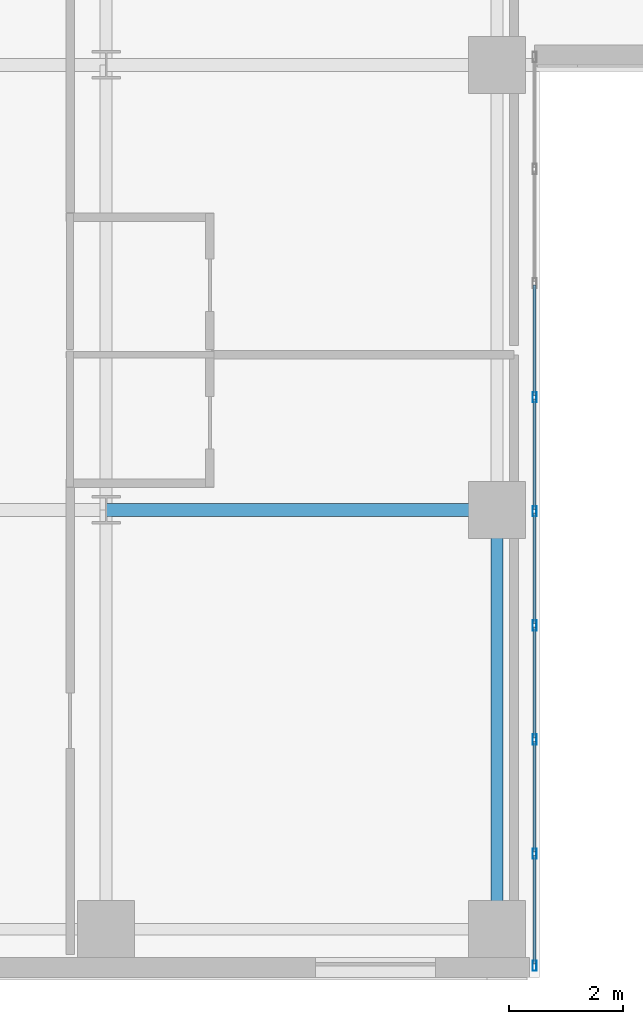
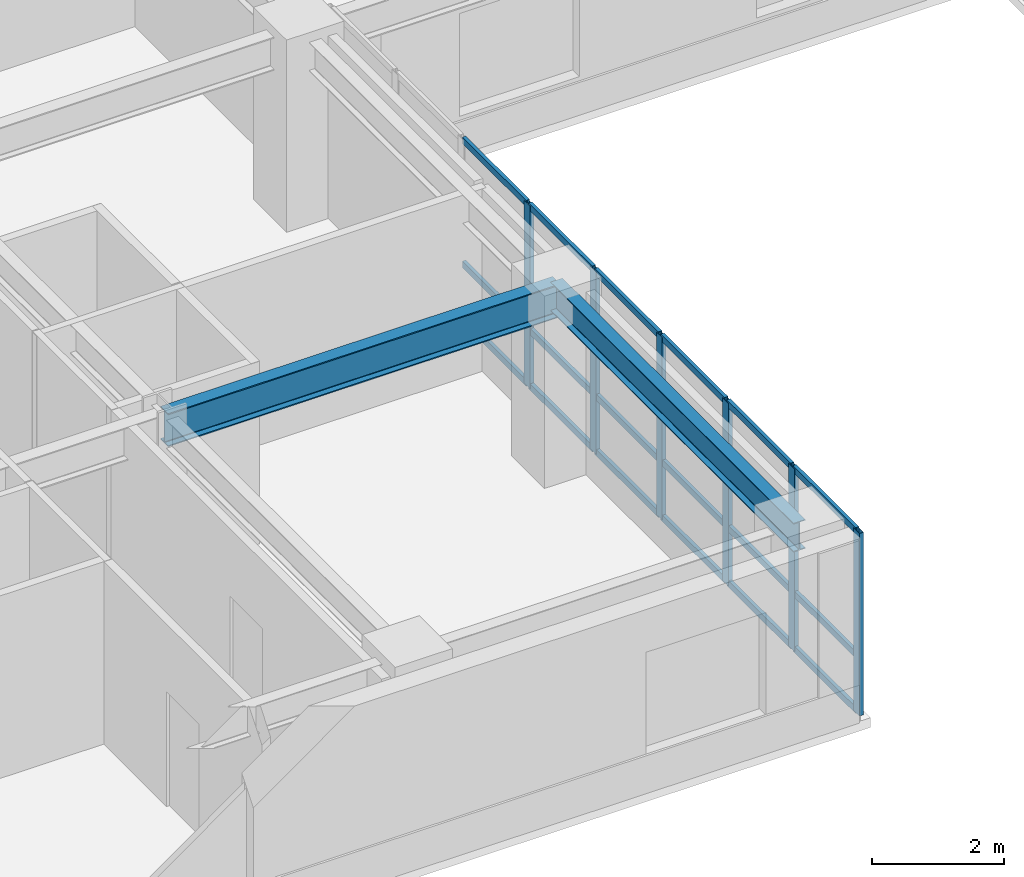
# One storey, part 6 of 37: 24 members, 2 beams, 1 element without a shape of its own.
"""IFC4 building model written with IfcOpenShell, lengths in metres."""

from ifc_helpers import new_model, si_unit, direction, frame, origin, origin_2d, place, context, subcontext, project, spatial, hollow_rectangle, i_section, extrude, source, transform, mapped, material, layer, layer_set, material_profile, profile_set, type_object, type_shapes, element, aggregate, save


model = new_model("IFC4")

# Units and contexts
model_context = context("Model", 3, precision=1e-05, world=origin(), true_north=direction((0.0, 1.0)))
body_context = subcontext(model_context, "Body", "Model", "MODEL_VIEW")
ifc_project = project(units=[si_unit("LENGTHUNIT", "METRE"), si_unit("AREAUNIT", "SQUARE_METRE"), si_unit("VOLUMEUNIT", "CUBIC_METRE"), si_unit("PLANEANGLEUNIT", "RADIAN"), si_unit("MASSUNIT", "GRAM", prefix="KILO")], contexts=[model_context])

# Site, building, storey
site_placement = place(None, origin())
site = spatial("IfcSite", under=ifc_project, at=site_placement, CompositionType="ELEMENT")
building_placement = place(site_placement, origin())
building = spatial("IfcBuilding", under=site, at=building_placement, Name="Tolvann Quenvar Hotel", CompositionType="ELEMENT")
storey_placement = place(building_placement, frame((0.0, 0.0, 53.300048828125)))
storey = spatial("IfcBuildingStorey", under=building, at=storey_placement, Name="L12", CompositionType="ELEMENT", Elevation=53.300048828125)

# Beams
ifc_material_1 = material(Name="Steel Grade 350", Category="steel")
ifc_material_profile_1 = material_profile(ifc_material_1, i_section(OverallWidth=0.22900390625, OverallDepth=0.612060546875, WebThickness=0.011962890625, FlangeThickness=0.01953125, FilletRadius=0.013916015625, at=origin_2d()), Name="610UB125")
ifc_profile_set_1 = profile_set([ifc_material_profile_1], Name="Steel Grade 350")
beam_type_1 = type_object("IfcBeamType", Name="BM_GIRD_610UB125", PredefinedType="BEAM", material=ifc_profile_set_1)
shared_shape_1 = source(origin(), body_context, "Body", "SweptSolid", [
    extrude(i_section(OverallWidth=0.22900390625, OverallDepth=0.612060546875, WebThickness=0.011962890625, FlangeThickness=0.01953125, FilletRadius=0.013916015625, at=origin_2d()), origin(), (0.0, 0.0, 1.0), 6.85009765625),
])
type_shapes(beam_type_1, [shared_shape_1])
beam_1_placement = place(storey_placement, frame((15.199951171875, 8.199951171875, 3.06396484375), z_axis=(1.0, 0.0, 0.0), x_axis=(0.0, 1.0, 0.0)))
element("IfcBeam", 1, at=beam_1_placement, inside=storey, type_object=beam_type_1, Name="BM-L12-EW-3-D3-E3", PredefinedType="BEAM", context=body_context, shape_type="MappedRepresentation", body=[
    mapped(shared_shape_1, transform((0.0, 0.0, 0.0), x_axis=(1.0, 0.0, 0.0), y_axis=(0.0, 1.0, 0.0), z_axis=(0.0, 0.0, 1.0), scale=1.0)),
])
ifc_material_profile_2 = material_profile(ifc_material_1, i_section(OverallWidth=0.208984375, OverallDepth=0.532958984375, WebThickness=0.01025390625, FlangeThickness=0.015625, FilletRadius=0.013916015625, at=origin_2d()), Name="530UB92")
ifc_profile_set_2 = profile_set([ifc_material_profile_2], Name="Steel Grade 350")
beam_type_2 = type_object("IfcBeamType", Name="BM_GIRD_530UB92", PredefinedType="BEAM", material=ifc_profile_set_2)
shared_shape_2 = source(origin(), body_context, "Body", "SweptSolid", [
    extrude(i_section(OverallWidth=0.208984375, OverallDepth=0.532958984375, WebThickness=0.01025390625, FlangeThickness=0.015625, FilletRadius=0.013916015625, at=origin_2d()), origin(), (0.0, 0.0, 1.0), 7.349853515625),
])
type_shapes(beam_type_2, [shared_shape_2])
beam_2_placement = place(storey_placement, frame((22.050048828125, 0.85009765625, 3.103515625), z_axis=(0.0, 1.0, 0.0), x_axis=(-1.0, 0.0, 0.0)))
element("IfcBeam", 2, at=beam_2_placement, inside=storey, type_object=beam_type_2, Name="BM-L12-NS-E2-E3", PredefinedType="BEAM", context=body_context, shape_type="MappedRepresentation", body=[
    mapped(shared_shape_2, transform((0.0, 0.0, 0.0), x_axis=(1.0, 0.0, 0.0), y_axis=(0.0, 1.0, 0.0), z_axis=(0.0, 0.0, 1.0), scale=1.0)),
])

# Curtain wall, members
ifc_material_2 = material(Name="Thermally broken anodised architectural aluminium 6063-T6 and laminated low-E glass", Category="aluminium")
ifc_layer = layer(ifc_material_2, 0.179931640625)
ifc_layer_set = layer_set([ifc_layer], Name="Thermally broken anodised architectural aluminium 6063-T6 and laminated low-E glass")
curtain_wall_type = type_object("IfcCurtainWallType", Name="CW_SYS_SLOT_03", PredefinedType="USERDEFINED", material=ifc_layer_set)
curtain_wall_placement = place(storey_placement, origin())
curtain_wall = element("IfcCurtainWall", 3, at=curtain_wall_placement, inside=storey, type_object=curtain_wall_type, Name="Curtain Wall CW-SLOT-03 (CWR-L12-E05)", ObjectType="UNITISED CURTAIN WALL", PredefinedType="USERDEFINED")
ifc_material_3 = material(Name="Anodised architectural aluminium 6063-T6 framing", Category="aluminium")
ifc_material_profile_3 = material_profile(ifc_material_3, hollow_rectangle(XDim=0.06005859375, YDim=0.1201171875, WallThickness=0.00341796875, at=origin_2d()), Name="120x60x3.5RHS")
ifc_profile_set_3 = profile_set([ifc_material_profile_3], Name="Anodised architectural aluminium 6063-T6 framing")
member_type_1 = type_object("IfcMemberType", Name="CW_TRAN_120x60", PredefinedType="USERDEFINED", material=ifc_profile_set_3)
shared_shape_3 = source(origin(), body_context, "Body", "SweptSolid", [
    extrude(hollow_rectangle(XDim=0.06005859375, YDim=0.1201171875, WallThickness=0.00341796875, at=origin_2d()), origin(), (0.0, 0.0, 1.0), 1.894775390625),
])
member_1_placement = place(storey_placement, frame((22.7099609375, 0.2451171875, 0.030029296875), z_axis=(0.0, 1.0, 0.0), x_axis=(-1.0, 0.0, 0.0)))
member_1 = element("IfcMember", 4, at=member_1_placement, type_object=member_type_1, Name="CW-SLOT-03 transom 1.1", ObjectType="TRANSOM", PredefinedType="USERDEFINED", context=body_context, shape_type="MappedRepresentation", body=[
    mapped(shared_shape_3, transform((0.0, 0.0, 0.0), x_axis=(1.0, 0.0, 0.0), y_axis=(0.0, 1.0, 0.0), z_axis=(0.0, 0.0, 1.0), scale=1.0)),
])
member_2_placement = place(storey_placement, frame((22.7099609375, 0.2451171875, 1.050048828125), z_axis=(0.0, 1.0, 0.0), x_axis=(-1.0, 0.0, 0.0)))
member_2 = element("IfcMember", 5, at=member_2_placement, type_object=member_type_1, Name="CW-SLOT-03 transom 1.2", ObjectType="TRANSOM", PredefinedType="USERDEFINED", context=body_context, shape_type="MappedRepresentation", body=[
    mapped(shared_shape_3, transform((0.0, 0.0, 0.0), x_axis=(1.0, 0.0, 0.0), y_axis=(0.0, 1.0, 0.0), z_axis=(0.0, 0.0, 1.0), scale=1.0)),
])
member_3_placement = place(storey_placement, frame((22.7099609375, 0.2451171875, 3.33984375), z_axis=(0.0, 1.0, 0.0), x_axis=(-1.0, 0.0, 0.0)))
member_3 = element("IfcMember", 6, at=member_3_placement, type_object=member_type_1, Name="CW-SLOT-03 transom 1.3", ObjectType="TRANSOM", PredefinedType="USERDEFINED", context=body_context, shape_type="MappedRepresentation", body=[
    mapped(shared_shape_3, transform((0.0, 0.0, 0.0), x_axis=(1.0, 0.0, 0.0), y_axis=(0.0, 1.0, 0.0), z_axis=(0.0, 0.0, 1.0), scale=1.0)),
])
shared_shape_4 = source(origin(), body_context, "Body", "SweptSolid", [
    extrude(hollow_rectangle(XDim=0.06005859375, YDim=0.1201171875, WallThickness=0.00341796875, at=origin_2d()), origin(), (0.0, 0.0, 1.0), 1.929931640625),
])
type_shapes(member_type_1, [shared_shape_3, shared_shape_4])
member_4_placement = place(storey_placement, frame((22.7099609375, 2.2099609375, 0.030029296875), z_axis=(0.0, 1.0, 0.0), x_axis=(-1.0, 0.0, 0.0)))
member_4 = element("IfcMember", 7, at=member_4_placement, type_object=member_type_1, Name="CW-SLOT-03 transom 2.1", ObjectType="TRANSOM", PredefinedType="USERDEFINED", context=body_context, shape_type="MappedRepresentation", body=[
    mapped(shared_shape_4, transform((0.0, 0.0, 0.0), x_axis=(1.0, 0.0, 0.0), y_axis=(0.0, 1.0, 0.0), z_axis=(0.0, 0.0, 1.0), scale=1.0)),
])
member_5_placement = place(storey_placement, frame((22.7099609375, 2.2099609375, 1.050048828125), z_axis=(0.0, 1.0, 0.0), x_axis=(-1.0, 0.0, 0.0)))
member_5 = element("IfcMember", 8, at=member_5_placement, type_object=member_type_1, Name="CW-SLOT-03 transom 2.2", ObjectType="TRANSOM", PredefinedType="USERDEFINED", context=body_context, shape_type="MappedRepresentation", body=[
    mapped(shared_shape_4, transform((0.0, 0.0, 0.0), x_axis=(1.0, 0.0, 0.0), y_axis=(0.0, 1.0, 0.0), z_axis=(0.0, 0.0, 1.0), scale=1.0)),
])
member_6_placement = place(storey_placement, frame((22.7099609375, 2.2099609375, 3.33984375), z_axis=(0.0, 1.0, 0.0), x_axis=(-1.0, 0.0, 0.0)))
member_6 = element("IfcMember", 9, at=member_6_placement, type_object=member_type_1, Name="CW-SLOT-03 transom 2.3", ObjectType="TRANSOM", PredefinedType="USERDEFINED", context=body_context, shape_type="MappedRepresentation", body=[
    mapped(shared_shape_4, transform((0.0, 0.0, 0.0), x_axis=(1.0, 0.0, 0.0), y_axis=(0.0, 1.0, 0.0), z_axis=(0.0, 0.0, 1.0), scale=1.0)),
])
member_7_placement = place(storey_placement, frame((22.7099609375, 4.2099609375, 0.030029296875), z_axis=(0.0, 1.0, 0.0), x_axis=(-1.0, 0.0, 0.0)))
member_7 = element("IfcMember", 10, at=member_7_placement, type_object=member_type_1, Name="CW-SLOT-03 transom 3.1", ObjectType="TRANSOM", PredefinedType="USERDEFINED", context=body_context, shape_type="MappedRepresentation", body=[
    mapped(shared_shape_4, transform((0.0, 0.0, 0.0), x_axis=(1.0, 0.0, 0.0), y_axis=(0.0, 1.0, 0.0), z_axis=(0.0, 0.0, 1.0), scale=1.0)),
])
member_8_placement = place(storey_placement, frame((22.7099609375, 4.2099609375, 1.050048828125), z_axis=(0.0, 1.0, 0.0), x_axis=(-1.0, 0.0, 0.0)))
member_8 = element("IfcMember", 11, at=member_8_placement, type_object=member_type_1, Name="CW-SLOT-03 transom 3.2", ObjectType="TRANSOM", PredefinedType="USERDEFINED", context=body_context, shape_type="MappedRepresentation", body=[
    mapped(shared_shape_4, transform((0.0, 0.0, 0.0), x_axis=(1.0, 0.0, 0.0), y_axis=(0.0, 1.0, 0.0), z_axis=(0.0, 0.0, 1.0), scale=1.0)),
])
member_9_placement = place(storey_placement, frame((22.7099609375, 4.2099609375, 3.33984375), z_axis=(0.0, 1.0, 0.0), x_axis=(-1.0, 0.0, 0.0)))
member_9 = element("IfcMember", 12, at=member_9_placement, type_object=member_type_1, Name="CW-SLOT-03 transom 3.3", ObjectType="TRANSOM", PredefinedType="USERDEFINED", context=body_context, shape_type="MappedRepresentation", body=[
    mapped(shared_shape_4, transform((0.0, 0.0, 0.0), x_axis=(1.0, 0.0, 0.0), y_axis=(0.0, 1.0, 0.0), z_axis=(0.0, 0.0, 1.0), scale=1.0)),
])
member_10_placement = place(storey_placement, frame((22.7099609375, 6.2099609375, 0.030029296875), z_axis=(0.0, 1.0, 0.0), x_axis=(-1.0, 0.0, 0.0)))
member_10 = element("IfcMember", 13, at=member_10_placement, type_object=member_type_1, Name="CW-SLOT-03 transom 4.1", ObjectType="TRANSOM", PredefinedType="USERDEFINED", context=body_context, shape_type="MappedRepresentation", body=[
    mapped(shared_shape_4, transform((0.0, 0.0, 0.0), x_axis=(1.0, 0.0, 0.0), y_axis=(0.0, 1.0, 0.0), z_axis=(0.0, 0.0, 1.0), scale=1.0)),
])
member_11_placement = place(storey_placement, frame((22.7099609375, 6.2099609375, 1.050048828125), z_axis=(0.0, 1.0, 0.0), x_axis=(-1.0, 0.0, 0.0)))
member_11 = element("IfcMember", 14, at=member_11_placement, type_object=member_type_1, Name="CW-SLOT-03 transom 4.2", ObjectType="TRANSOM", PredefinedType="USERDEFINED", context=body_context, shape_type="MappedRepresentation", body=[
    mapped(shared_shape_4, transform((0.0, 0.0, 0.0), x_axis=(1.0, 0.0, 0.0), y_axis=(0.0, 1.0, 0.0), z_axis=(0.0, 0.0, 1.0), scale=1.0)),
])
member_12_placement = place(storey_placement, frame((22.7099609375, 6.2099609375, 3.33984375), z_axis=(0.0, 1.0, 0.0), x_axis=(-1.0, 0.0, 0.0)))
member_12 = element("IfcMember", 15, at=member_12_placement, type_object=member_type_1, Name="CW-SLOT-03 transom 4.3", ObjectType="TRANSOM", PredefinedType="USERDEFINED", context=body_context, shape_type="MappedRepresentation", body=[
    mapped(shared_shape_4, transform((0.0, 0.0, 0.0), x_axis=(1.0, 0.0, 0.0), y_axis=(0.0, 1.0, 0.0), z_axis=(0.0, 0.0, 1.0), scale=1.0)),
])
member_13_placement = place(storey_placement, frame((22.7099609375, 8.2099609375, 0.030029296875), z_axis=(0.0, 1.0, 0.0), x_axis=(-1.0, 0.0, 0.0)))
member_13 = element("IfcMember", 16, at=member_13_placement, type_object=member_type_1, Name="CW-SLOT-03 transom 5.1", ObjectType="TRANSOM", PredefinedType="USERDEFINED", context=body_context, shape_type="MappedRepresentation", body=[
    mapped(shared_shape_4, transform((0.0, 0.0, 0.0), x_axis=(1.0, 0.0, 0.0), y_axis=(0.0, 1.0, 0.0), z_axis=(0.0, 0.0, 1.0), scale=1.0)),
])
member_14_placement = place(storey_placement, frame((22.7099609375, 8.2099609375, 1.050048828125), z_axis=(0.0, 1.0, 0.0), x_axis=(-1.0, 0.0, 0.0)))
member_14 = element("IfcMember", 17, at=member_14_placement, type_object=member_type_1, Name="CW-SLOT-03 transom 5.2", ObjectType="TRANSOM", PredefinedType="USERDEFINED", context=body_context, shape_type="MappedRepresentation", body=[
    mapped(shared_shape_4, transform((0.0, 0.0, 0.0), x_axis=(1.0, 0.0, 0.0), y_axis=(0.0, 1.0, 0.0), z_axis=(0.0, 0.0, 1.0), scale=1.0)),
])
member_15_placement = place(storey_placement, frame((22.7099609375, 8.2099609375, 3.33984375), z_axis=(0.0, 1.0, 0.0), x_axis=(-1.0, 0.0, 0.0)))
member_15 = element("IfcMember", 18, at=member_15_placement, type_object=member_type_1, Name="CW-SLOT-03 transom 5.3", ObjectType="TRANSOM", PredefinedType="USERDEFINED", context=body_context, shape_type="MappedRepresentation", body=[
    mapped(shared_shape_4, transform((0.0, 0.0, 0.0), x_axis=(1.0, 0.0, 0.0), y_axis=(0.0, 1.0, 0.0), z_axis=(0.0, 0.0, 1.0), scale=1.0)),
])
member_16_placement = place(storey_placement, frame((22.7099609375, 10.2099609375, 0.030029296875), z_axis=(0.0, 1.0, 0.0), x_axis=(-1.0, 0.0, 0.0)))
member_16 = element("IfcMember", 19, at=member_16_placement, type_object=member_type_1, Name="CW-SLOT-03 transom 6.1", ObjectType="TRANSOM", PredefinedType="USERDEFINED", context=body_context, shape_type="MappedRepresentation", body=[
    mapped(shared_shape_4, transform((0.0, 0.0, 0.0), x_axis=(1.0, 0.0, 0.0), y_axis=(0.0, 1.0, 0.0), z_axis=(0.0, 0.0, 1.0), scale=1.0)),
])
member_17_placement = place(storey_placement, frame((22.7099609375, 10.2099609375, 1.050048828125), z_axis=(0.0, 1.0, 0.0), x_axis=(-1.0, 0.0, 0.0)))
member_17 = element("IfcMember", 20, at=member_17_placement, type_object=member_type_1, Name="CW-SLOT-03 transom 6.2", ObjectType="TRANSOM", PredefinedType="USERDEFINED", context=body_context, shape_type="MappedRepresentation", body=[
    mapped(shared_shape_4, transform((0.0, 0.0, 0.0), x_axis=(1.0, 0.0, 0.0), y_axis=(0.0, 1.0, 0.0), z_axis=(0.0, 0.0, 1.0), scale=1.0)),
])
member_18_placement = place(storey_placement, frame((22.7099609375, 10.2099609375, 3.33984375), z_axis=(0.0, 1.0, 0.0), x_axis=(-1.0, 0.0, 0.0)))
member_18 = element("IfcMember", 21, at=member_18_placement, type_object=member_type_1, Name="CW-SLOT-03 transom 6.3", ObjectType="TRANSOM", PredefinedType="USERDEFINED", context=body_context, shape_type="MappedRepresentation", body=[
    mapped(shared_shape_4, transform((0.0, 0.0, 0.0), x_axis=(1.0, 0.0, 0.0), y_axis=(0.0, 1.0, 0.0), z_axis=(0.0, 0.0, 1.0), scale=1.0)),
])
ifc_material_profile_4 = material_profile(ifc_material_3, hollow_rectangle(XDim=0.070068359375, YDim=0.179931640625, WallThickness=0.00390625, at=origin_2d()), Name="180x70x4RHS")
ifc_profile_set_4 = profile_set([ifc_material_profile_4], Name="Anodised architectural aluminium 6063-T6 framing")
member_type_2 = type_object("IfcMemberType", Name="CW_MULL_180x70", PredefinedType="MULLION", material=ifc_profile_set_4)
shared_shape_5 = source(origin(), body_context, "Body", "SweptSolid", [
    extrude(hollow_rectangle(XDim=0.070068359375, YDim=0.179931640625, WallThickness=0.00390625, at=origin_2d()), origin(), (0.0, 0.0, 1.0), 3.369873046875),
])
type_shapes(member_type_2, [shared_shape_5])
member_19_placement = place(storey_placement, frame((22.7099609375, 0.2099609375, 0.0), z_axis=(0.0, 0.0, 1.0), x_axis=(-1.0, 0.0, 0.0)))
member_19 = element("IfcMember", 22, at=member_19_placement, type_object=member_type_2, Name="CW-SLOT-03 mullion 1", PredefinedType="MULLION", context=body_context, shape_type="MappedRepresentation", body=[
    mapped(shared_shape_5, transform((0.0, 0.0, 0.0), x_axis=(1.0, 0.0, 0.0), y_axis=(0.0, 1.0, 0.0), z_axis=(0.0, 0.0, 1.0), scale=1.0)),
])
member_20_placement = place(storey_placement, frame((22.7099609375, 2.175048828125, 0.0), z_axis=(0.0, 0.0, 1.0), x_axis=(-1.0, 0.0, 0.0)))
member_20 = element("IfcMember", 23, at=member_20_placement, type_object=member_type_2, Name="CW-SLOT-03 mullion 2", PredefinedType="MULLION", context=body_context, shape_type="MappedRepresentation", body=[
    mapped(shared_shape_5, transform((0.0, 0.0, 0.0), x_axis=(1.0, 0.0, 0.0), y_axis=(0.0, 1.0, 0.0), z_axis=(0.0, 0.0, 1.0), scale=1.0)),
])
member_21_placement = place(storey_placement, frame((22.7099609375, 4.175048828125, 0.0), z_axis=(0.0, 0.0, 1.0), x_axis=(-1.0, 0.0, 0.0)))
member_21 = element("IfcMember", 24, at=member_21_placement, type_object=member_type_2, Name="CW-SLOT-03 mullion 3", PredefinedType="MULLION", context=body_context, shape_type="MappedRepresentation", body=[
    mapped(shared_shape_5, transform((0.0, 0.0, 0.0), x_axis=(1.0, 0.0, 0.0), y_axis=(0.0, 1.0, 0.0), z_axis=(0.0, 0.0, 1.0), scale=1.0)),
])
member_22_placement = place(storey_placement, frame((22.7099609375, 6.175048828125, 0.0), z_axis=(0.0, 0.0, 1.0), x_axis=(-1.0, 0.0, 0.0)))
member_22 = element("IfcMember", 25, at=member_22_placement, type_object=member_type_2, Name="CW-SLOT-03 mullion 4", PredefinedType="MULLION", context=body_context, shape_type="MappedRepresentation", body=[
    mapped(shared_shape_5, transform((0.0, 0.0, 0.0), x_axis=(1.0, 0.0, 0.0), y_axis=(0.0, 1.0, 0.0), z_axis=(0.0, 0.0, 1.0), scale=1.0)),
])
member_23_placement = place(storey_placement, frame((22.7099609375, 8.175048828125, 0.0), z_axis=(0.0, 0.0, 1.0), x_axis=(-1.0, 0.0, 0.0)))
member_23 = element("IfcMember", 26, at=member_23_placement, type_object=member_type_2, Name="CW-SLOT-03 mullion 5", PredefinedType="MULLION", context=body_context, shape_type="MappedRepresentation", body=[
    mapped(shared_shape_5, transform((0.0, 0.0, 0.0), x_axis=(1.0, 0.0, 0.0), y_axis=(0.0, 1.0, 0.0), z_axis=(0.0, 0.0, 1.0), scale=1.0)),
])
member_24_placement = place(storey_placement, frame((22.7099609375, 10.175048828125, 0.0), z_axis=(0.0, 0.0, 1.0), x_axis=(-1.0, 0.0, 0.0)))
member_24 = element("IfcMember", 27, at=member_24_placement, type_object=member_type_2, Name="CW-SLOT-03 mullion 6", PredefinedType="MULLION", context=body_context, shape_type="MappedRepresentation", body=[
    mapped(shared_shape_5, transform((0.0, 0.0, 0.0), x_axis=(1.0, 0.0, 0.0), y_axis=(0.0, 1.0, 0.0), z_axis=(0.0, 0.0, 1.0), scale=1.0)),
])
aggregate(curtain_wall, [member_19, member_20, member_21, member_22, member_23, member_24, member_1, member_2, member_3, member_4, member_5, member_6, member_7, member_8, member_9, member_10, member_11, member_12, member_13, member_14, member_15, member_16, member_17, member_18])

save(model, "model.ifc")
